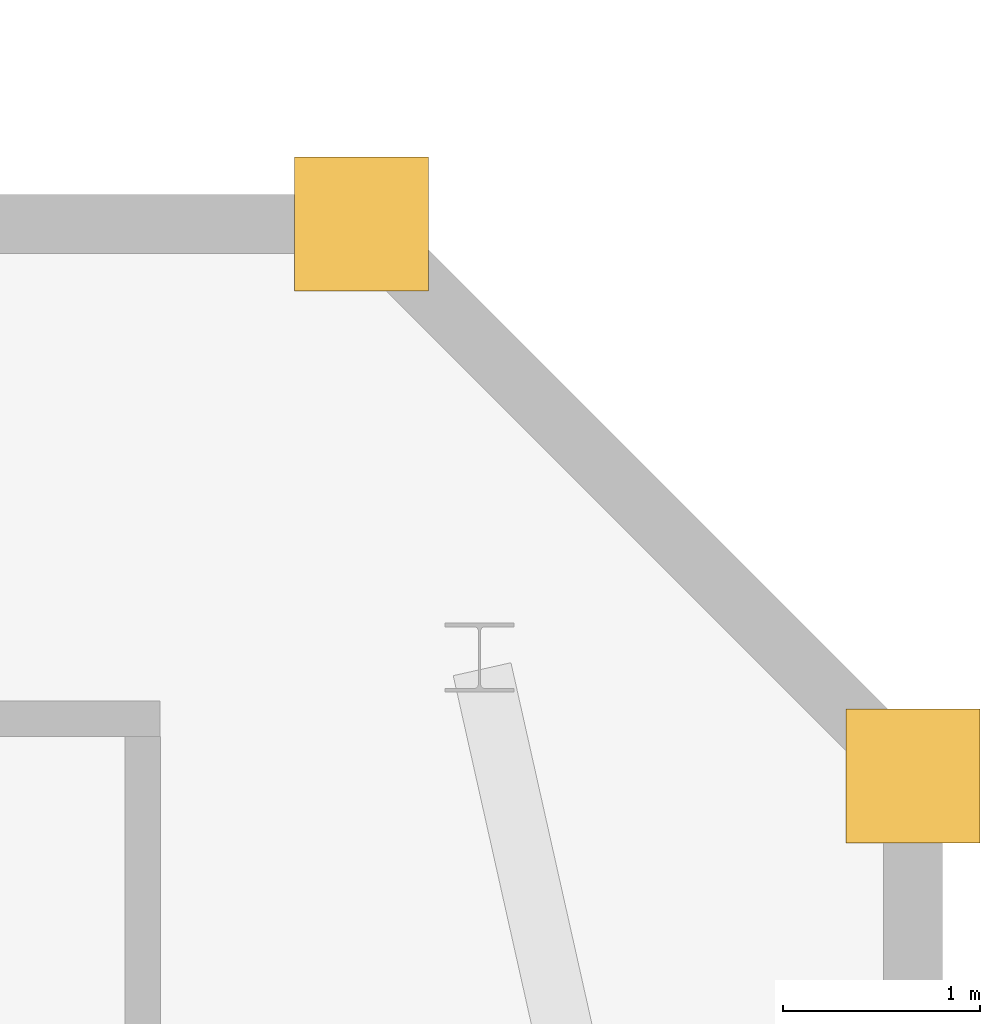
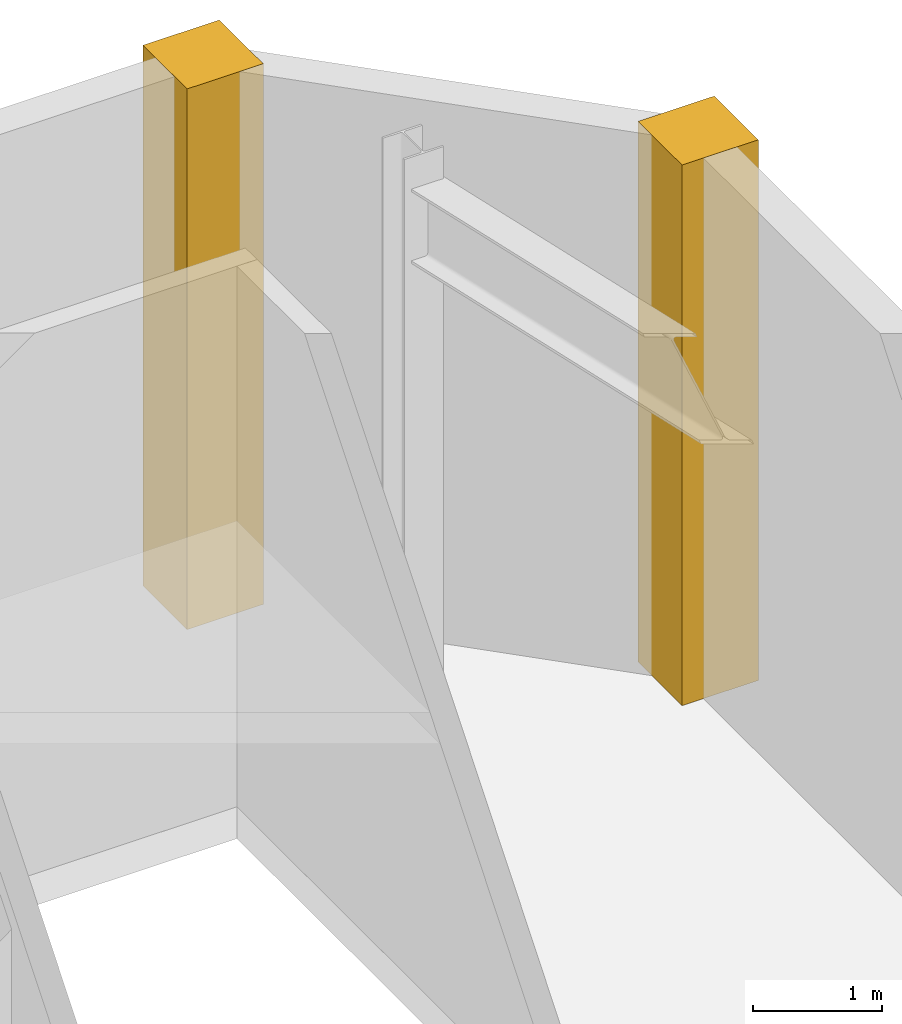
# One storey, part 52 of 52: 2 coverings.
"""IFC4 building model written with IfcOpenShell, lengths in metres."""

from ifc_helpers import new_model, si_unit, direction, frame, origin, place, context, subcontext, project, spatial, polyline, outline, extrude, material, layer, layer_set, type_object, element, save


model = new_model("IFC4")

# Units and contexts
model_context = context("Model", 3, precision=1e-05, world=origin(), true_north=direction((0.0, 1.0)))
body_context = subcontext(model_context, "Body", "Model", "MODEL_VIEW")
ifc_project = project(units=[si_unit("LENGTHUNIT", "METRE"), si_unit("AREAUNIT", "SQUARE_METRE"), si_unit("VOLUMEUNIT", "CUBIC_METRE"), si_unit("PLANEANGLEUNIT", "RADIAN"), si_unit("MASSUNIT", "GRAM", prefix="KILO")], contexts=[model_context])

# Site, building, storey
site_placement = place(None, origin())
site = spatial("IfcSite", under=ifc_project, at=site_placement, CompositionType="ELEMENT")
building_placement = place(site_placement, origin())
building = spatial("IfcBuilding", under=site, at=building_placement, Name="Saevonmaru Cultural Tower", CompositionType="ELEMENT")
storey_placement = place(building_placement, frame((0.0, 0.0, 11.39990234375)))
storey = spatial("IfcBuildingStorey", under=building, at=storey_placement, Name="L02", CompositionType="ELEMENT", Elevation=11.39990234375)

# Coverings
ifc_material = material(Name="Satin Bronze Anodised Aluminium", Category="aluminium")
ifc_layer = layer(ifc_material, 0.679931640625, Name="Satin Bronze Anodised Aluminium")
ifc_layer_set = layer_set([ifc_layer], Name="Satin Bronze Anodised Aluminium")
covering_type = type_object("IfcCoveringType", Name="CV-CORNER-CLAD", PredefinedType="CLADDING", material=ifc_layer_set)
covering_1_placement = place(storey_placement, origin())
element("IfcCovering", 1, at=covering_1_placement, inside=storey, type_object=covering_type, Name="L02 Library Bronze Corner Cladding Pier 5", PredefinedType="CLADDING", context=body_context, shape_type="SweptSolid", body=[
    extrude(outline(polyline([(107.860107421875, 44.860107421875), (108.5400390625, 44.860107421875), (108.5400390625, 45.5400390625), (107.860107421875, 45.5400390625), (107.860107421875, 44.860107421875)])), origin(), (0.0, 0.0, 1.0), 5.10009765625),
])
covering_2_placement = place(storey_placement, origin())
element("IfcCovering", 2, at=covering_2_placement, inside=storey, type_object=covering_type, Name="L02 Library Bronze Corner Cladding Pier 6", PredefinedType="CLADDING", context=body_context, shape_type="SweptSolid", body=[
    extrude(outline(polyline([(105.06005859375, 47.659912109375), (105.739990234375, 47.659912109375), (105.739990234375, 48.340087890625), (105.06005859375, 48.340087890625), (105.06005859375, 47.659912109375)])), origin(), (0.0, 0.0, 1.0), 5.10009765625),
])

save(model, "model.ifc")
